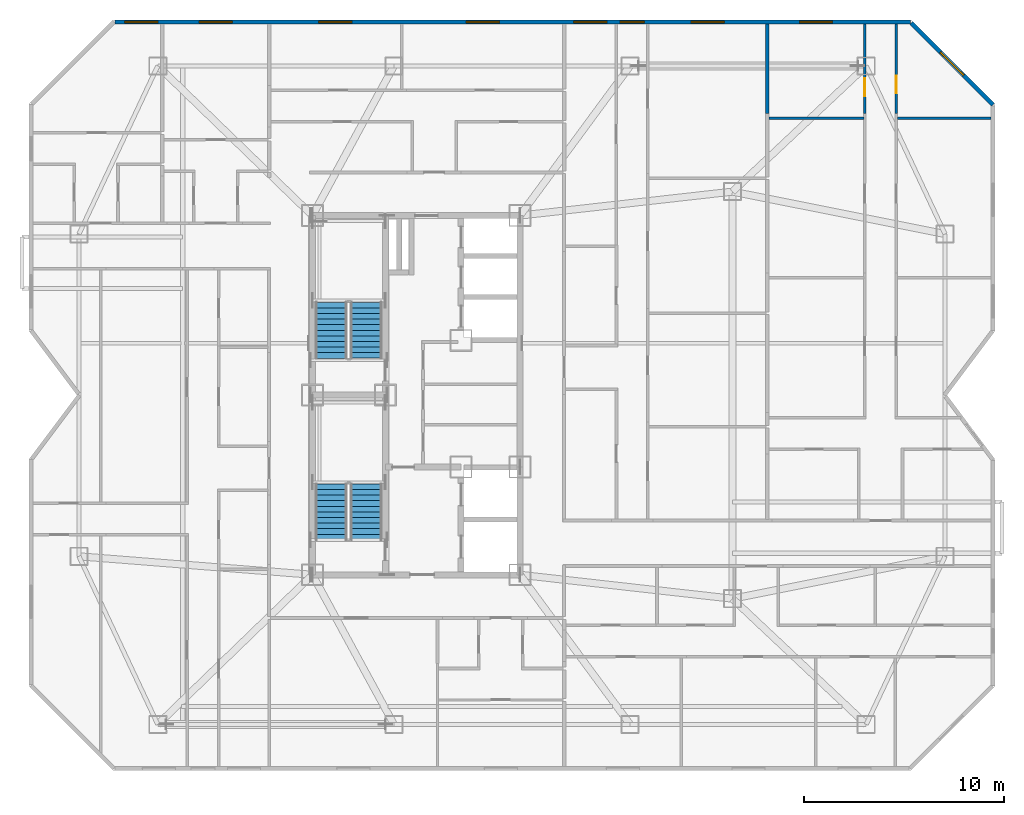
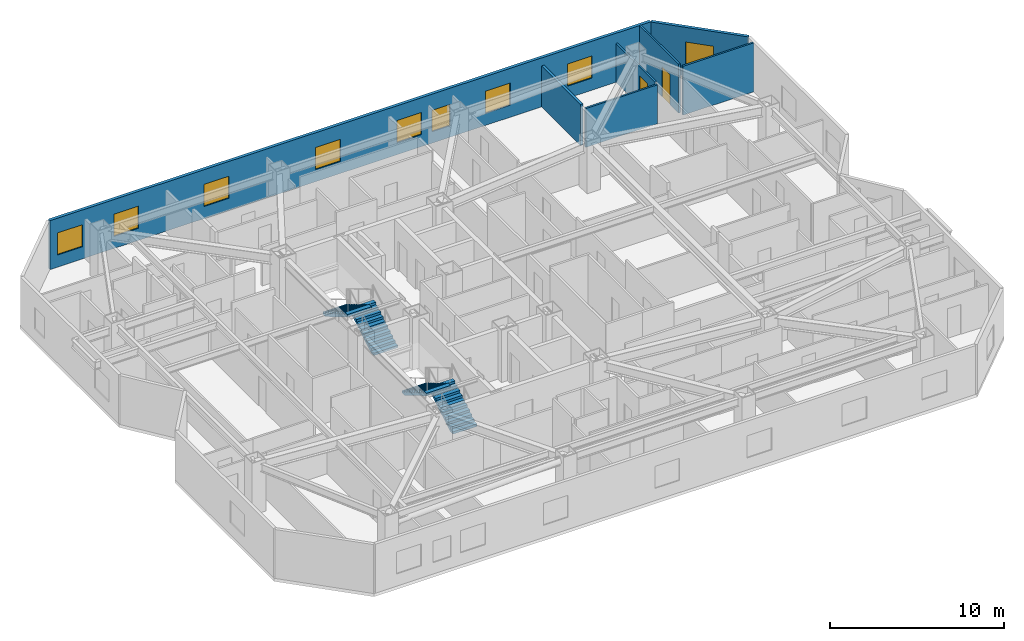
# One storey, part 11 of 12: 9 windows, 7 walls, 4 stair flights, 2 doors, 11 openings, 2 elements without a shape of their own.
"""IFC4 building model written with IfcOpenShell, lengths in metres."""

from ifc_helpers import new_model, si_unit, direction, frame, frame_2d, origin, place, context, subcontext, project, spatial, polyline, rectangle, outline, extrude, material, layer, layer_set, type_object, element, fill, aggregate, save


model = new_model("IFC4")

# Units and contexts
model_context = context("Model", 3, precision=1e-05, world=origin(), true_north=direction((0.0, 1.0)))
body_context = subcontext(model_context, "Body", "Model", "MODEL_VIEW")
ifc_project = project(units=[si_unit("LENGTHUNIT", "METRE"), si_unit("AREAUNIT", "SQUARE_METRE"), si_unit("VOLUMEUNIT", "CUBIC_METRE"), si_unit("PLANEANGLEUNIT", "RADIAN"), si_unit("MASSUNIT", "GRAM", prefix="KILO")], contexts=[model_context])

# Site, building, storey
site_placement = place(None, origin())
site = spatial("IfcSite", under=ifc_project, at=site_placement, CompositionType="ELEMENT")
building_placement = place(site_placement, origin())
building = spatial("IfcBuilding", under=site, at=building_placement, Name="Khamvora Tower", CompositionType="ELEMENT")
storey_placement = place(building_placement, frame((0.0, 0.0, 188.75)))
storey = spatial("IfcBuildingStorey", under=building, at=storey_placement, Name="L48", CompositionType="ELEMENT", Elevation=188.75)

# Wall
ifc_material_1 = material(Name="Acoustic Double-Stud Fire Wall", Category="gypsum")
ifc_layer_1 = layer(ifc_material_1, 0.179931640625)
ifc_layer_set_1 = layer_set([ifc_layer_1], Name="Acoustic Double-Stud Fire Wall")
wall_type_1 = type_object("IfcWallType", Name="WAL-CORR-180", PredefinedType="STANDARD", material=ifc_layer_set_1)
wall_1_placement = place(storey_placement, frame((51.784912109375, 46.60791015625, 0.0), z_axis=(0.0, 0.0, 1.0), x_axis=(0.0, -1.0, 0.0)))
element("IfcWall", 1, at=wall_1_placement, inside=storey, type_object=wall_type_1, Name="L48 interior partition wall 138", PredefinedType="STANDARD", context=body_context, shape_type="SweptSolid", body=[
    extrude(rectangle(XDim=4.48583984375, YDim=0.179931640625, at=frame_2d((2.242919921875, 0.0))), origin(), (0.0, 0.0, 1.0), 2.8759765625),
])

# Wall, openings, windows
ifc_material_2 = material(Name="Precast concrete C40/50", Category="concrete")
ifc_layer_2 = layer(ifc_material_2, 0.199951171875)
ifc_layer_set_2 = layer_set([ifc_layer_2], Name="Precast concrete C40/50")
wall_type_2 = type_object("IfcWallType", Name="WAL-EXT-200", PredefinedType="STANDARD", material=ifc_layer_set_2)
wall_2_placement = place(storey_placement, frame((19.10205078125, 46.699951171875, 0.0), z_axis=(0.0, 0.0, 1.0), x_axis=(1.0, 0.0, 0.0)))
wall_2 = element("IfcWall", 2, at=wall_2_placement, inside=storey, type_object=wall_type_2, Name="L48 exterior facade wall 07.1", PredefinedType="STANDARD", context=body_context, shape_type="SweptSolid", body=[
    extrude(rectangle(XDim=39.85693359375, YDim=0.199951171875, at=frame_2d((19.928466796875, 0.0))), origin(), (0.0, 0.0, 1.0), 3.429931640625),
])
opening_1_placement = place(wall_2_placement, frame((0.50390625, 0.0, 0.85009765625)))
opening_1 = element("IfcOpeningElement", 3, at=opening_1_placement, cuts=wall_2, Name="Opening WN-06", PredefinedType="OPENING", context=body_context, shape_type="SweptSolid", body=[
    extrude(rectangle(XDim=1.64990234375, YDim=1.550048828125, at=frame_2d((0.824951171875, 0.77490234375))), frame((0.0, 0.10986328125, 0.0), z_axis=(0.0, -1.0, 0.0), x_axis=(1.0, 0.0, 0.0)), (0.0, 0.0, 1.0), 0.219970703125),
])
opening_2_placement = place(wall_2_placement, frame((4.22802734375, 0.0, 0.85009765625)))
opening_2 = element("IfcOpeningElement", 4, at=opening_2_placement, cuts=wall_2, Name="Opening WN-06", PredefinedType="OPENING", context=body_context, shape_type="SweptSolid", body=[
    extrude(rectangle(XDim=1.64990234375, YDim=1.550048828125, at=frame_2d((0.824951171875, 0.77490234375))), frame((0.0, 0.10986328125, 0.0), z_axis=(0.0, -1.0, 0.0), x_axis=(1.0, 0.0, 0.0)), (0.0, 0.0, 1.0), 0.219970703125),
])
opening_3_placement = place(wall_2_placement, frame((10.22509765625, 0.0, 0.85009765625)))
opening_3 = element("IfcOpeningElement", 5, at=opening_3_placement, cuts=wall_2, Name="Opening WN-06", PredefinedType="OPENING", context=body_context, shape_type="SweptSolid", body=[
    extrude(rectangle(XDim=1.64990234375, YDim=1.550048828125, at=frame_2d((0.824951171875, 0.77490234375))), frame((0.0, 0.10986328125, 0.0), z_axis=(0.0, -1.0, 0.0), x_axis=(1.0, 0.0, 0.0)), (0.0, 0.0, 1.0), 0.219970703125),
])
opening_4_placement = place(wall_2_placement, frame((17.614990234375, 0.0, 0.85009765625)))
opening_4 = element("IfcOpeningElement", 6, at=opening_4_placement, cuts=wall_2, Name="Opening WN-06", PredefinedType="OPENING", context=body_context, shape_type="SweptSolid", body=[
    extrude(rectangle(XDim=1.64990234375, YDim=1.550048828125, at=frame_2d((0.824951171875, 0.77490234375))), frame((0.0, 0.10986328125, 0.0), z_axis=(0.0, -1.0, 0.0), x_axis=(1.0, 0.0, 0.0)), (0.0, 0.0, 1.0), 0.219970703125),
])
opening_5_placement = place(wall_2_placement, frame((22.9970703125, 0.0, 0.85009765625)))
opening_5 = element("IfcOpeningElement", 7, at=opening_5_placement, cuts=wall_2, Name="Opening WN-06", PredefinedType="OPENING", context=body_context, shape_type="SweptSolid", body=[
    extrude(rectangle(XDim=1.64990234375, YDim=1.550048828125, at=frame_2d((0.824951171875, 0.77490234375))), frame((0.0, 0.10986328125, 0.0), z_axis=(0.0, -1.0, 0.0), x_axis=(1.0, 0.0, 0.0)), (0.0, 0.0, 1.0), 0.219970703125),
])
opening_6_placement = place(wall_2_placement, frame((25.320068359375, 0.0, 0.800048828125)))
opening_6 = element("IfcOpeningElement", 8, at=opening_6_placement, cuts=wall_2, Name="Opening WN-03", PredefinedType="OPENING", context=body_context, shape_type="SweptSolid", body=[
    extrude(rectangle(XDim=1.199951171875, YDim=1.5, at=frame_2d((0.60009765625, 0.75))), frame((0.0, 0.10986328125, 0.0), z_axis=(0.0, -1.0, 0.0), x_axis=(1.0, 0.0, 0.0)), (0.0, 0.0, 1.0), 0.219970703125),
])
opening_7_placement = place(wall_2_placement, frame((28.8720703125, 0.0, 0.85009765625)))
opening_7 = element("IfcOpeningElement", 9, at=opening_7_placement, cuts=wall_2, Name="Opening WN-06", PredefinedType="OPENING", context=body_context, shape_type="SweptSolid", body=[
    extrude(rectangle(XDim=1.64990234375, YDim=1.550048828125, at=frame_2d((0.824951171875, 0.77490234375))), frame((0.0, 0.10986328125, 0.0), z_axis=(0.0, -1.0, 0.0), x_axis=(1.0, 0.0, 0.0)), (0.0, 0.0, 1.0), 0.219970703125),
])
opening_8_placement = place(wall_2_placement, frame((34.30810546875, 0.0, 0.85009765625)))
opening_8 = element("IfcOpeningElement", 10, at=opening_8_placement, cuts=wall_2, Name="Opening WN-06", PredefinedType="OPENING", context=body_context, shape_type="SweptSolid", body=[
    extrude(rectangle(XDim=1.64990234375, YDim=1.550048828125, at=frame_2d((0.824951171875, 0.77490234375))), frame((0.0, 0.10986328125, 0.0), z_axis=(0.0, -1.0, 0.0), x_axis=(1.0, 0.0, 0.0)), (0.0, 0.0, 1.0), 0.219970703125),
])
ifc_material_3 = material(Name="Low-E Laminated Double Glazing", Category="glass")
window_type_1 = type_object("IfcWindowType", Name="WIN-VIS-1200x1500", PartitioningType="SINGLE_PANEL", PredefinedType="WINDOW", material=ifc_material_3)
window_1_placement = place(opening_6_placement, origin())
window_1 = element("IfcWindow", 11, at=window_1_placement, inside=storey, type_object=window_type_1, Name="L48 vision window 07.1.06", OverallHeight=1.5, OverallWidth=1.199951171875, PartitioningType="SINGLE_PANEL", PredefinedType="WINDOW", context=body_context, shape_type="SweptSolid", body=[
    extrude(rectangle(XDim=1.199951171875, YDim=1.5, at=frame_2d((0.60009765625, 0.75))), frame((0.0, 0.030029296875, 0.0), z_axis=(0.0, -1.0, 0.0), x_axis=(1.0, 0.0, 0.0)), (0.0, 0.0, 1.0), 0.06005859375),
])
fill(opening_6, window_1)
window_type_2 = type_object("IfcWindowType", Name="WIN-VIS-1650x1550", PartitioningType="SINGLE_PANEL", PredefinedType="WINDOW", material=ifc_material_3)
window_2_placement = place(opening_1_placement, origin())
window_2 = element("IfcWindow", 12, at=window_2_placement, inside=storey, type_object=window_type_2, Name="L48 vision window 07.1.01", OverallHeight=1.550048828125, OverallWidth=1.64990234375, PartitioningType="SINGLE_PANEL", PredefinedType="WINDOW", context=body_context, shape_type="SweptSolid", body=[
    extrude(rectangle(XDim=1.64990234375, YDim=1.550048828125, at=frame_2d((0.824951171875, 0.77490234375))), frame((0.0, 0.030029296875, 0.0), z_axis=(0.0, -1.0, 0.0), x_axis=(1.0, 0.0, 0.0)), (0.0, 0.0, 1.0), 0.06005859375),
])
fill(opening_1, window_2)
window_3_placement = place(opening_2_placement, origin())
window_3 = element("IfcWindow", 13, at=window_3_placement, inside=storey, type_object=window_type_2, Name="L48 vision window 07.1.02", OverallHeight=1.550048828125, OverallWidth=1.64990234375, PartitioningType="SINGLE_PANEL", PredefinedType="WINDOW", context=body_context, shape_type="SweptSolid", body=[
    extrude(rectangle(XDim=1.64990234375, YDim=1.550048828125, at=frame_2d((0.824951171875, 0.77490234375))), frame((0.0, 0.030029296875, 0.0), z_axis=(0.0, -1.0, 0.0), x_axis=(1.0, 0.0, 0.0)), (0.0, 0.0, 1.0), 0.06005859375),
])
fill(opening_2, window_3)
window_4_placement = place(opening_3_placement, origin())
window_4 = element("IfcWindow", 14, at=window_4_placement, inside=storey, type_object=window_type_2, Name="L48 vision window 07.1.03", OverallHeight=1.550048828125, OverallWidth=1.64990234375, PartitioningType="SINGLE_PANEL", PredefinedType="WINDOW", context=body_context, shape_type="SweptSolid", body=[
    extrude(rectangle(XDim=1.64990234375, YDim=1.550048828125, at=frame_2d((0.824951171875, 0.77490234375))), frame((0.0, 0.030029296875, 0.0), z_axis=(0.0, -1.0, 0.0), x_axis=(1.0, 0.0, 0.0)), (0.0, 0.0, 1.0), 0.06005859375),
])
fill(opening_3, window_4)
window_5_placement = place(opening_4_placement, origin())
window_5 = element("IfcWindow", 15, at=window_5_placement, inside=storey, type_object=window_type_2, Name="L48 vision window 07.1.04", OverallHeight=1.550048828125, OverallWidth=1.64990234375, PartitioningType="SINGLE_PANEL", PredefinedType="WINDOW", context=body_context, shape_type="SweptSolid", body=[
    extrude(rectangle(XDim=1.64990234375, YDim=1.550048828125, at=frame_2d((0.824951171875, 0.77490234375))), frame((0.0, 0.030029296875, 0.0), z_axis=(0.0, -1.0, 0.0), x_axis=(1.0, 0.0, 0.0)), (0.0, 0.0, 1.0), 0.06005859375),
])
fill(opening_4, window_5)
window_6_placement = place(opening_5_placement, origin())
window_6 = element("IfcWindow", 16, at=window_6_placement, inside=storey, type_object=window_type_2, Name="L48 vision window 07.1.05", OverallHeight=1.550048828125, OverallWidth=1.64990234375, PartitioningType="SINGLE_PANEL", PredefinedType="WINDOW", context=body_context, shape_type="SweptSolid", body=[
    extrude(rectangle(XDim=1.64990234375, YDim=1.550048828125, at=frame_2d((0.824951171875, 0.77490234375))), frame((0.0, 0.030029296875, 0.0), z_axis=(0.0, -1.0, 0.0), x_axis=(1.0, 0.0, 0.0)), (0.0, 0.0, 1.0), 0.06005859375),
])
fill(opening_5, window_6)
window_7_placement = place(opening_7_placement, origin())
window_7 = element("IfcWindow", 17, at=window_7_placement, inside=storey, type_object=window_type_2, Name="L48 vision window 07.1.07", OverallHeight=1.550048828125, OverallWidth=1.64990234375, PartitioningType="SINGLE_PANEL", PredefinedType="WINDOW", context=body_context, shape_type="SweptSolid", body=[
    extrude(rectangle(XDim=1.64990234375, YDim=1.550048828125, at=frame_2d((0.824951171875, 0.77490234375))), frame((0.0, 0.030029296875, 0.0), z_axis=(0.0, -1.0, 0.0), x_axis=(1.0, 0.0, 0.0)), (0.0, 0.0, 1.0), 0.06005859375),
])
fill(opening_7, window_7)
window_8_placement = place(opening_8_placement, origin())
window_8 = element("IfcWindow", 18, at=window_8_placement, inside=storey, type_object=window_type_2, Name="L48 vision window 07.1.08", OverallHeight=1.550048828125, OverallWidth=1.64990234375, PartitioningType="SINGLE_PANEL", PredefinedType="WINDOW", context=body_context, shape_type="SweptSolid", body=[
    extrude(rectangle(XDim=1.64990234375, YDim=1.550048828125, at=frame_2d((0.824951171875, 0.77490234375))), frame((0.0, 0.030029296875, 0.0), z_axis=(0.0, -1.0, 0.0), x_axis=(1.0, 0.0, 0.0)), (0.0, 0.0, 1.0), 0.06005859375),
])
fill(opening_8, window_8)

# Wall, opening, window
wall_3_placement = place(storey_placement, frame((59.0029296875, 46.656005859375, 0.0), z_axis=(0.0, 0.0, 1.0), x_axis=(0.707127848917, -0.707085712828, 0.0)))
wall_3 = element("IfcWall", 19, at=wall_3_placement, inside=storey, type_object=wall_type_2, Name="L48 exterior facade wall 08.1", PredefinedType="STANDARD", context=body_context, shape_type="SweptSolid", body=[
    extrude(rectangle(XDim=5.794189453125, YDim=0.199951171875, at=frame_2d((2.89697265625, 0.0))), origin(), (0.0, 0.0, 1.0), 3.429931640625),
])
opening_9_placement = place(wall_3_placement, frame((2.072021484375, 0.0, 0.85009765625)))
opening_9 = element("IfcOpeningElement", 20, at=opening_9_placement, cuts=wall_3, Name="Opening WN-06", PredefinedType="OPENING", context=body_context, shape_type="SweptSolid", body=[
    extrude(rectangle(XDim=1.64990234375, YDim=1.550048828125, at=frame_2d((0.824951171875, 0.77490234375))), frame((0.0, 0.10986328125, 0.0), z_axis=(0.0, -1.0, 0.0), x_axis=(1.0, 0.0, 0.0)), (0.0, 0.0, 1.0), 0.219970703125),
])
window_9_placement = place(opening_9_placement, origin())
window_9 = element("IfcWindow", 21, at=window_9_placement, inside=storey, type_object=window_type_2, Name="L48 vision window 08.1.01", OverallHeight=1.550048828125, OverallWidth=1.64990234375, PartitioningType="SINGLE_PANEL", PredefinedType="WINDOW", context=body_context, shape_type="SweptSolid", body=[
    extrude(rectangle(XDim=1.64990234375, YDim=1.550048828125, at=frame_2d((0.824951171875, 0.77490234375))), frame((0.0, 0.030029296875, 0.0), z_axis=(0.0, -1.0, 0.0), x_axis=(1.0, 0.0, 0.0)), (0.0, 0.0, 1.0), 0.06005859375),
])
fill(opening_9, window_9)

# Wall, opening, door
ifc_material_4 = material(Name="Gypsum Plasterboard Partition", Category="gypsum")
ifc_layer_3 = layer(ifc_material_4, 0.1201171875)
ifc_layer_set_3 = layer_set([ifc_layer_3], Name="Gypsum Plasterboard Partition")
wall_type_3 = type_object("IfcWallType", Name="WAL-PART-120", PredefinedType="PARTITIONING", material=ifc_layer_set_3)
wall_4_placement = place(storey_placement, frame((56.68505859375, 42.1220703125, 0.0), z_axis=(0.0, 0.0, 1.0), x_axis=(0.0, 1.0, 0.0)))
wall_4 = element("IfcWall", 22, at=wall_4_placement, inside=storey, type_object=wall_type_3, Name="L48 interior partition wall 146", PredefinedType="PARTITIONING", context=body_context, shape_type="SweptSolid", body=[
    extrude(rectangle(XDim=4.48583984375, YDim=0.1201171875, at=frame_2d((2.242919921875, 0.0))), origin(), (0.0, 0.0, 1.0), 2.72509765625),
])
opening_10_placement = place(wall_4_placement, frame((0.863037109375, 0.0, 0.0)))
opening_10 = element("IfcOpeningElement", 23, at=opening_10_placement, cuts=wall_4, Name="Opening D-RM1", PredefinedType="OPENING", context=body_context, shape_type="SweptSolid", body=[
    extrude(rectangle(XDim=0.89990234375, YDim=2.10009765625, at=frame_2d((0.449951171875, 1.050048828125))), frame((0.0, 0.070068359375, 0.0), z_axis=(0.0, -1.0, 0.0), x_axis=(1.0, 0.0, 0.0)), (0.0, 0.0, 1.0), 0.14013671875),
])
ifc_material_5 = material(Name="Powder-Coated Steel and Hardwood Leaf", Category="steel")
door_type = type_object("IfcDoorType", Name="DOR-ROOM-900", OperationType="NOTDEFINED", PredefinedType="DOOR", material=ifc_material_5)
door_1_placement = place(opening_10_placement, origin())
door_1 = element("IfcDoor", 24, at=door_1_placement, inside=storey, type_object=door_type, Name="L48 interior door 48ECH-48ECR3", OperationType="SINGLE_SWING_LEFT", OverallHeight=2.10009765625, OverallWidth=0.89990234375, PredefinedType="DOOR", context=body_context, shape_type="SweptSolid", body=[
    extrude(rectangle(XDim=0.89990234375, YDim=2.10009765625, at=frame_2d((0.449951171875, 1.050048828125))), frame((0.0, 0.02490234375, 0.0), z_axis=(0.0, -1.0, 0.0), x_axis=(1.0, 0.0, 0.0)), (0.0, 0.0, 1.0), 0.050048828125),
])
fill(opening_10, door_1)

wall_5_placement = place(storey_placement, frame((58.2548828125, 46.60791015625, 0.0), z_axis=(0.0, 0.0, 1.0), x_axis=(0.0, -1.0, 0.0)))
wall_5 = element("IfcWall", 25, at=wall_5_placement, inside=storey, type_object=wall_type_3, Name="L48 interior partition wall 150", PredefinedType="PARTITIONING", context=body_context, shape_type="SweptSolid", body=[
    extrude(rectangle(XDim=4.48583984375, YDim=0.1201171875, at=frame_2d((2.242919921875, 0.0))), origin(), (0.0, 0.0, 1.0), 3.429931640625),
])
opening_11_placement = place(wall_5_placement, frame((2.590087890625, 0.0, 0.0)))
opening_11 = element("IfcOpeningElement", 26, at=opening_11_placement, cuts=wall_5, Name="Opening D-RM1", PredefinedType="OPENING", context=body_context, shape_type="SweptSolid", body=[
    extrude(rectangle(XDim=0.89990234375, YDim=2.10009765625, at=frame_2d((0.449951171875, 1.050048828125))), frame((0.0, 0.070068359375, 0.0), z_axis=(0.0, -1.0, 0.0), x_axis=(1.0, 0.0, 0.0)), (0.0, 0.0, 1.0), 0.14013671875),
])
door_2_placement = place(opening_11_placement, origin())
door_2 = element("IfcDoor", 27, at=door_2_placement, inside=storey, type_object=door_type, Name="L48 interior door 48ECH-48ECR6", OperationType="SINGLE_SWING_LEFT", OverallHeight=2.10009765625, OverallWidth=0.89990234375, PredefinedType="DOOR", context=body_context, shape_type="SweptSolid", body=[
    extrude(rectangle(XDim=0.89990234375, YDim=2.10009765625, at=frame_2d((0.449951171875, 1.050048828125))), frame((0.0, 0.02490234375, 0.0), z_axis=(0.0, -1.0, 0.0), x_axis=(1.0, 0.0, 0.0)), (0.0, 0.0, 1.0), 0.050048828125),
])
fill(opening_11, door_2)

# Walls
wall_6_placement = place(storey_placement, frame((51.866943359375, 41.873046875, 0.0), z_axis=(0.0, 0.0, 1.0), x_axis=(1.0, 0.0, 0.0)))
element("IfcWall", 28, at=wall_6_placement, inside=storey, type_object=wall_type_3, Name="L48 interior partition wall 152", PredefinedType="PARTITIONING", context=body_context, shape_type="SweptSolid", body=[
    extrude(rectangle(XDim=4.76416015625, YDim=0.1201171875, at=frame_2d((2.382080078125, 0.0))), origin(), (0.0, 0.0, 1.0), 2.72509765625),
])
wall_7_placement = place(storey_placement, frame((58.30908203125, 41.873046875, 0.0), z_axis=(0.0, 0.0, 1.0), x_axis=(1.0, 0.0, 0.0)))
element("IfcWall", 29, at=wall_7_placement, inside=storey, type_object=wall_type_3, Name="L48 interior partition wall 154", PredefinedType="PARTITIONING", context=body_context, shape_type="SweptSolid", body=[
    extrude(rectangle(XDim=4.698974609375, YDim=0.1201171875, at=frame_2d((2.349609375, 0.0))), origin(), (0.0, 0.0, 1.0), 3.429931640625),
])

# Stair, stair flights
ifc_material_6 = material(Name="Concrete C40/50", Category="concrete")
stair_type_1 = type_object("IfcStairType", Name="STR-ST-01", PredefinedType="HALF_TURN_STAIR", material=ifc_material_6)
stair_1_placement = place(storey_placement, origin())
stair_1 = element("IfcStair", 30, at=stair_1_placement, inside=storey, type_object=stair_type_1, Name="L48 South Tower Exit Stair ST-01", PredefinedType="HALF_TURN_STAIR")
stair_flight_type_1 = type_object("IfcStairFlightType", Name="STF-ST-01", PredefinedType="STRAIGHT", material=ifc_material_6)
stair_flight_1_placement = place(storey_placement, frame((31.699951171875, 20.75, 0.0), z_axis=(0.0, 0.0, 1.0), x_axis=(0.0, 1.0, 0.0)))
stair_flight_1 = element("IfcStairFlight", 31, at=stair_flight_1_placement, type_object=stair_flight_type_1, Name="ST-01 flight 1", NumberOfRisers=11, NumberOfTreads=10, PredefinedType="STRAIGHT", RiserHeight=0.165909091, TreadLength=0.28, context=body_context, shape_type="SweptSolid", body=[
    extrude(outline(polyline([(0.0, 0.0), (0.0, 0.166015625), (0.280029296875, 0.166015625), (0.280029296875, 0.331787109375), (0.56005859375, 0.331787109375), (0.56005859375, 0.497802734375), (0.840087890625, 0.497802734375), (0.840087890625, 0.66357421875), (1.1201171875, 0.66357421875), (1.1201171875, 0.82958984375), (1.39990234375, 0.82958984375), (1.39990234375, 0.995361328125), (1.679931640625, 0.995361328125), (1.679931640625, 1.161376953125), (1.9599609375, 1.161376953125), (1.9599609375, 1.327392578125), (2.239990234375, 1.327392578125), (2.239990234375, 1.4931640625), (2.52001953125, 1.4931640625), (2.52001953125, 1.6591796875), (2.800048828125, 1.6591796875), (2.800048828125, 1.824951171875), (2.800048828125, 1.48486328125), (0.2939453125, 0.0), (0.0, 0.0)])), frame((0.0, 0.800048828125, 0.0), z_axis=(0.0, -1.0, 0.0), x_axis=(1.0, 0.0, 0.0)), (0.0, 0.0, 1.0), 1.60009765625),
])
stair_flight_2_placement = place(storey_placement, frame((29.949951171875, 23.550048828125, 1.824951171875), z_axis=(0.0, 0.0, 1.0), x_axis=(0.0, -1.0, 0.0)))
stair_flight_2 = element("IfcStairFlight", 32, at=stair_flight_2_placement, type_object=stair_flight_type_1, Name="ST-01 flight 2", NumberOfRisers=11, NumberOfTreads=10, PredefinedType="STRAIGHT", RiserHeight=0.165909091, TreadLength=0.28, context=body_context, shape_type="SweptSolid", body=[
    extrude(outline(polyline([(0.0, 0.0), (0.0, 0.166015625), (0.280029296875, 0.166015625), (0.280029296875, 0.331787109375), (0.56005859375, 0.331787109375), (0.56005859375, 0.497802734375), (0.840087890625, 0.497802734375), (0.840087890625, 0.66357421875), (1.1201171875, 0.66357421875), (1.1201171875, 0.82958984375), (1.39990234375, 0.82958984375), (1.39990234375, 0.995361328125), (1.679931640625, 0.995361328125), (1.679931640625, 1.161376953125), (1.9599609375, 1.161376953125), (1.9599609375, 1.327392578125), (2.239990234375, 1.327392578125), (2.239990234375, 1.4931640625), (2.52001953125, 1.4931640625), (2.52001953125, 1.6591796875), (2.800048828125, 1.6591796875), (2.800048828125, 1.824951171875), (2.800048828125, 1.48486328125), (0.2939453125, 0.0), (0.0, 0.0)])), frame((0.0, 0.800048828125, 0.0), z_axis=(0.0, -1.0, 0.0), x_axis=(1.0, 0.0, 0.0)), (0.0, 0.0, 1.0), 1.60009765625),
])
aggregate(stair_1, [stair_flight_1, stair_flight_2])

stair_type_2 = type_object("IfcStairType", Name="STR-ST-02", PredefinedType="HALF_TURN_STAIR", material=ifc_material_6)
stair_2_placement = place(storey_placement, origin())
stair_2 = element("IfcStair", 33, at=stair_2_placement, inside=storey, type_object=stair_type_2, Name="L48 North Tower Exit Stair ST-02", PredefinedType="HALF_TURN_STAIR")
stair_flight_type_2 = type_object("IfcStairFlightType", Name="STF-ST-02", PredefinedType="STRAIGHT", material=ifc_material_6)
stair_flight_3_placement = place(storey_placement, frame((31.699951171875, 29.85009765625, 0.0), z_axis=(0.0, 0.0, 1.0), x_axis=(0.0, 1.0, 0.0)))
stair_flight_3 = element("IfcStairFlight", 34, at=stair_flight_3_placement, type_object=stair_flight_type_2, Name="ST-02 flight 1", NumberOfRisers=11, NumberOfTreads=10, PredefinedType="STRAIGHT", RiserHeight=0.165909091, TreadLength=0.28, context=body_context, shape_type="SweptSolid", body=[
    extrude(outline(polyline([(0.0, 0.0), (0.0, 0.166015625), (0.280029296875, 0.166015625), (0.280029296875, 0.331787109375), (0.56005859375, 0.331787109375), (0.56005859375, 0.497802734375), (0.840087890625, 0.497802734375), (0.840087890625, 0.66357421875), (1.1201171875, 0.66357421875), (1.1201171875, 0.82958984375), (1.39990234375, 0.82958984375), (1.39990234375, 0.995361328125), (1.679931640625, 0.995361328125), (1.679931640625, 1.161376953125), (1.9599609375, 1.161376953125), (1.9599609375, 1.327392578125), (2.239990234375, 1.327392578125), (2.239990234375, 1.4931640625), (2.52001953125, 1.4931640625), (2.52001953125, 1.6591796875), (2.800048828125, 1.6591796875), (2.800048828125, 1.824951171875), (2.800048828125, 1.48486328125), (0.2939453125, 0.0), (0.0, 0.0)])), frame((0.0, 0.800048828125, 0.0), z_axis=(0.0, -1.0, 0.0), x_axis=(1.0, 0.0, 0.0)), (0.0, 0.0, 1.0), 1.60009765625),
])
stair_flight_4_placement = place(storey_placement, frame((29.949951171875, 32.64990234375, 1.824951171875), z_axis=(0.0, 0.0, 1.0), x_axis=(0.0, -1.0, 0.0)))
stair_flight_4 = element("IfcStairFlight", 35, at=stair_flight_4_placement, type_object=stair_flight_type_2, Name="ST-02 flight 2", NumberOfRisers=11, NumberOfTreads=10, PredefinedType="STRAIGHT", RiserHeight=0.165909091, TreadLength=0.28, context=body_context, shape_type="SweptSolid", body=[
    extrude(outline(polyline([(0.0, 0.0), (0.0, 0.166015625), (0.280029296875, 0.166015625), (0.280029296875, 0.331787109375), (0.56005859375, 0.331787109375), (0.56005859375, 0.497802734375), (0.840087890625, 0.497802734375), (0.840087890625, 0.66357421875), (1.1201171875, 0.66357421875), (1.1201171875, 0.82958984375), (1.39990234375, 0.82958984375), (1.39990234375, 0.995361328125), (1.679931640625, 0.995361328125), (1.679931640625, 1.161376953125), (1.9599609375, 1.161376953125), (1.9599609375, 1.327392578125), (2.239990234375, 1.327392578125), (2.239990234375, 1.4931640625), (2.52001953125, 1.4931640625), (2.52001953125, 1.6591796875), (2.800048828125, 1.6591796875), (2.800048828125, 1.824951171875), (2.800048828125, 1.48486328125), (0.2939453125, 0.0), (0.0, 0.0)])), frame((0.0, 0.800048828125, 0.0), z_axis=(0.0, -1.0, 0.0), x_axis=(1.0, 0.0, 0.0)), (0.0, 0.0, 1.0), 1.60009765625),
])
aggregate(stair_2, [stair_flight_3, stair_flight_4])

save(model, "model.ifc")
